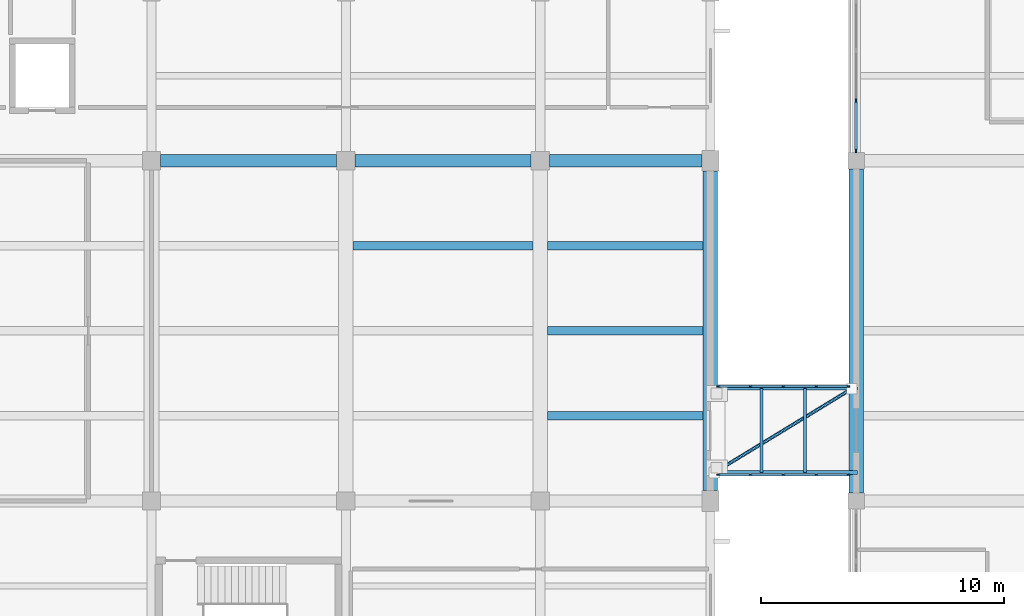
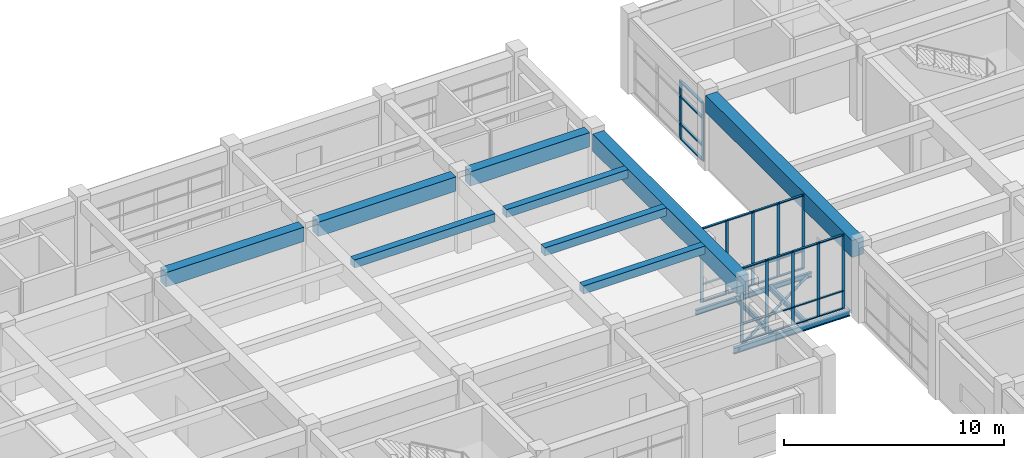
# One storey, part 28 of 72: 41 members, 13 beams, 3 elements without a shape of their own.
"""IFC4 building model written with IfcOpenShell, lengths in metres."""

from ifc_helpers import new_model, si_unit, direction, frame, origin, origin_2d, place, context, subcontext, project, spatial, rectangle, hollow_circle, i_section, extrude, material, layer, layer_set, material_profile, profile_set, type_object, element, aggregate, save


model = new_model("IFC4")

# Units and contexts
model_context = context("Model", 3, precision=1e-05, world=origin(), true_north=direction((0.0, 1.0)))
body_context = subcontext(model_context, "Body", "Model", "MODEL_VIEW")
ifc_project = project(units=[si_unit("LENGTHUNIT", "METRE"), si_unit("AREAUNIT", "SQUARE_METRE"), si_unit("VOLUMEUNIT", "CUBIC_METRE"), si_unit("PLANEANGLEUNIT", "RADIAN"), si_unit("MASSUNIT", "GRAM", prefix="KILO")], contexts=[model_context])

# Site, building, storey
site_placement = place(None, origin())
site = spatial("IfcSite", under=ifc_project, at=site_placement, CompositionType="ELEMENT")
building_placement = place(site_placement, origin())
building = spatial("IfcBuilding", under=site, at=building_placement, Name="Naurynzar Civic Courthouse", CompositionType="ELEMENT")
storey_placement = place(building_placement, frame((0.0, 0.0, 9.89990234375)))
storey = spatial("IfcBuildingStorey", under=building, at=storey_placement, Name="L03", CompositionType="ELEMENT", Elevation=9.89990234375)

# Beams
ifc_material_1 = material(Name="Concrete C40/50", Category="concrete")
ifc_material_profile_1 = material_profile(ifc_material_1, rectangle(XDim=0.60009765625, YDim=0.949951171875, at=origin_2d()), Name="PTB 600x950")
ifc_profile_set_1 = profile_set([ifc_material_profile_1], Name="Concrete C40/50")
beam_type_1 = type_object("IfcBeamType", Name="BM-PT-600x950", PredefinedType="T_BEAM", material=ifc_profile_set_1)
beam_1_placement = place(storey_placement, frame((124.0, 51.425048828125, 3.72509765625), z_axis=(0.0, 1.0, 0.0), x_axis=(-1.0, 0.0, 0.0)))
element("IfcBeam", 1, at=beam_1_placement, inside=storey, type_object=beam_type_1, Name="V2 girder Y-618 L03", PredefinedType="T_BEAM", context=body_context, shape_type="SweptSolid", body=[
    extrude(rectangle(XDim=0.60009765625, YDim=0.949951171875, at=origin_2d()), origin(), (0.0, 0.0, 1.0), 13.14990234375),
])
beam_2_placement = place(storey_placement, frame((130.0, 51.33740234375, 3.72509765625), z_axis=(0.0, 1.0, 0.0), x_axis=(-1.0, 0.0, 0.0)))
element("IfcBeam", 2, at=beam_2_placement, inside=storey, type_object=beam_type_1, Name="V5 girder Y-2430 L03", PredefinedType="T_BEAM", context=body_context, shape_type="SweptSolid", body=[
    extrude(rectangle(XDim=0.60009765625, YDim=0.949951171875, at=origin_2d()), origin(), (0.0, 0.0, 1.0), 13.3251953125),
])
ifc_material_2 = material(Name="Concrete C40/50", Category="concrete")
ifc_material_profile_2 = material_profile(ifc_material_2, rectangle(XDim=0.35009765625, YDim=0.449951171875, at=origin_2d()), Name="RCB 350x450")
ifc_profile_set_2 = profile_set([ifc_material_profile_2], Name="Concrete C40/50")
beam_type_2 = type_object("IfcBeamType", Name="BM-RC-350x450", PredefinedType="BEAM", material=ifc_profile_set_2)
beam_3_placement = place(storey_placement, frame((109.300048828125, 61.5, 3.97509765625), z_axis=(1.0, 0.0, 0.0), x_axis=(0.0, 1.0, 0.0)))
element("IfcBeam", 3, at=beam_3_placement, inside=storey, type_object=beam_type_2, Name="V2 secondary rib 644 L03", PredefinedType="BEAM", context=body_context, shape_type="SweptSolid", body=[
    extrude(rectangle(XDim=0.35009765625, YDim=0.449951171875, at=origin_2d()), origin(), (0.0, 0.0, 1.0), 7.39990234375),
])
for number, where, z_axis, x_axis, name in (
    (4, (117.300048828125, 54.5, 3.97509765625), (1.0, 0.0, 0.0), (0.0, 1.0, 0.0), "V2 secondary rib 645 L03"),
    (5, (117.300048828125, 58.0, 3.97509765625), (1.0, 0.0, 0.0), (0.0, 1.0, 0.0), "V2 secondary rib 646 L03"),
    (6, (117.300048828125, 61.5, 3.97509765625), (1.0, 0.0, 0.0), (0.0, 1.0, 0.0), "V2 secondary rib 647 L03"),
):
    element("IfcBeam", number, at=place(storey_placement, frame(where, z_axis=z_axis, x_axis=x_axis)), inside=storey, type_object=beam_type_2, Name=name, PredefinedType="BEAM", context=body_context, shape_type="SweptSolid", body=[
        extrude(rectangle(XDim=0.35009765625, YDim=0.449951171875, at=origin_2d()), origin(), (0.0, 0.0, 1.0), 6.39990234375),
    ])
ifc_material_3 = material(Name="Concrete C40/50", Category="concrete")
ifc_material_profile_3 = material_profile(ifc_material_3, rectangle(XDim=0.5, YDim=0.800048828125, at=origin_2d()), Name="RCB 500x800")
ifc_profile_set_3 = profile_set([ifc_material_profile_3], Name="Concrete C40/50")
beam_type_3 = type_object("IfcBeamType", Name="BM-RC-500x800", PredefinedType="BEAM", material=ifc_profile_set_3)
for number, where, z_axis, x_axis, name in (
    (7, (101.375, 65.0, 3.800048828125), (1.0, 0.0, 0.0), (0.0, 1.0, 0.0), "V2 beam X-582 L03"),
    (8, (109.375, 65.0, 3.800048828125), (1.0, 0.0, 0.0), (0.0, 1.0, 0.0), "V2 beam X-583 L03"),
):
    element("IfcBeam", number, at=place(storey_placement, frame(where, z_axis=z_axis, x_axis=x_axis)), inside=storey, type_object=beam_type_3, Name=name, PredefinedType="BEAM", context=body_context, shape_type="SweptSolid", body=[
        extrude(rectangle(XDim=0.5, YDim=0.800048828125, at=origin_2d()), origin(), (0.0, 0.0, 1.0), 7.25),
    ])
beam_4_placement = place(storey_placement, frame((117.375, 65.0, 3.800048828125), z_axis=(1.0, 0.0, 0.0), x_axis=(0.0, 1.0, 0.0)))
element("IfcBeam", 9, at=beam_4_placement, inside=storey, type_object=beam_type_3, Name="V2 beam X-584 L03", PredefinedType="BEAM", context=body_context, shape_type="SweptSolid", body=[
    extrude(rectangle(XDim=0.5, YDim=0.800048828125, at=origin_2d()), origin(), (0.0, 0.0, 1.0), 6.27490234375),
])
ifc_material_4 = material(Name="Steel S355", Category="steel")
ifc_material_profile_4 = material_profile(ifc_material_4, i_section(OverallWidth=0.135009765625, OverallDepth=0.27001953125, WebThickness=0.006591796875, FlangeThickness=0.01025390625, FilletRadius=0.014892578125, at=origin_2d()), Name="IPE 270")
ifc_profile_set_4 = profile_set([ifc_material_profile_4], Name="Steel S355")
beam_type_4 = type_object("IfcBeamType", Name="BM-STL-IPE270", PredefinedType="BEAM", material=ifc_profile_set_4)
beam_5_placement = place(storey_placement, frame((123.949951171875, 55.6298828125, -0.375), z_axis=(1.0, 0.0, 0.0), x_axis=(0.0, 1.0, 0.0)))
element("IfcBeam", 10, at=beam_5_placement, inside=storey, type_object=beam_type_4, Name="BR-E1 edge steel beam L03.2", PredefinedType="BEAM", context=body_context, shape_type="SweptSolid", body=[
    extrude(i_section(OverallWidth=0.135009765625, OverallDepth=0.27001953125, WebThickness=0.006591796875, FlangeThickness=0.01025390625, FilletRadius=0.014892578125, at=origin_2d()), origin(), (0.0, 0.0, 1.0), 6.10009765625),
])
for number, where, z_axis, x_axis, name in (
    (11, (126.10595703125, 52.169921875, -0.375), (0.0, 1.0, 0.0), (-1.0, 0.0, 0.0), "BR-E1 deck cross-beam L03.1"),
    (12, (127.89404296875, 52.169921875, -0.375), (0.0, 1.0, 0.0), (-1.0, 0.0, 0.0), "BR-E1 deck cross-beam L03.2"),
):
    element("IfcBeam", number, at=place(storey_placement, frame(where, z_axis=z_axis, x_axis=x_axis)), inside=storey, type_object=beam_type_4, Name=name, PredefinedType="BEAM", context=body_context, shape_type="SweptSolid", body=[
        extrude(i_section(OverallWidth=0.135009765625, OverallDepth=0.27001953125, WebThickness=0.006591796875, FlangeThickness=0.01025390625, FilletRadius=0.014892578125, at=origin_2d()), origin(), (0.0, 0.0, 1.0), 3.4599609375),
    ])
ifc_material_5 = material(Name="Steel S355", Category="steel")
ifc_material_profile_5 = material_profile(ifc_material_5, i_section(OverallWidth=0.159912109375, OverallDepth=0.330078125, WebThickness=0.007568359375, FlangeThickness=0.011474609375, FilletRadius=0.01806640625, at=origin_2d()), Name="IPE 330")
ifc_profile_set_5 = profile_set([ifc_material_profile_5], Name="Steel S355")
beam_type_5 = type_object("IfcBeamType", Name="BM-STL-IPE330", PredefinedType="BEAM", material=ifc_profile_set_5)
beam_6_placement = place(storey_placement, frame((123.949951171875, 52.169921875, -0.40478515625), z_axis=(1.0, 0.0, 0.0), x_axis=(0.0, 1.0, 0.0)))
element("IfcBeam", 13, at=beam_6_placement, inside=storey, type_object=beam_type_5, Name="BR-E1 edge steel beam L03.1", PredefinedType="BEAM", context=body_context, shape_type="SweptSolid", body=[
    extrude(i_section(OverallWidth=0.159912109375, OverallDepth=0.330078125, WebThickness=0.007568359375, FlangeThickness=0.011474609375, FilletRadius=0.01806640625, at=origin_2d()), origin(), (0.0, 0.0, 1.0), 6.10009765625),
])

# Curtain wall, members
ifc_material_6 = material(Name="Aluminium 6063-T6", Category="aluminium")
ifc_layer_1 = layer(ifc_material_6, 0.14990234375)
ifc_layer_set_1 = layer_set([ifc_layer_1], Name="CW-BRIDGE-1500")
curtain_wall_type_1 = type_object("IfcCurtainWallType", Name="CW-BRIDGE-1500", PredefinedType="USERDEFINED", material=ifc_layer_set_1)
curtain_wall_1_placement = place(storey_placement, origin())
curtain_wall_1 = element("IfcCurtainWall", 14, at=curtain_wall_1_placement, inside=storey, type_object=curtain_wall_type_1, Name="BR-E1 glazed bridge screen L03.1", ObjectType="GLAZED BRIDGE SCREEN", PredefinedType="USERDEFINED")
ifc_material_7 = material(Name="Aluminium 6063-T6", Category="aluminium")
ifc_material_profile_6 = material_profile(ifc_material_7, rectangle(XDim=0.06005859375, YDim=0.14990234375, at=origin_2d()), Name="ALU MULLION 60x150")
ifc_profile_set_6 = profile_set([ifc_material_profile_6], Name="Aluminium 6063-T6")
member_type_1 = type_object("IfcMemberType", Name="CWM-60x150", PredefinedType="MULLION", material=ifc_profile_set_6)
member_1_placement = place(storey_placement, frame((124.330078125, 52.080078125, 0.0), z_axis=(0.0, 0.0, 1.0), x_axis=(0.0, 1.0, 0.0)))
member_1 = element("IfcMember", 15, at=member_1_placement, type_object=member_type_1, Name="CW-03 mullion 1", PredefinedType="MULLION", context=body_context, shape_type="SweptSolid", body=[
    extrude(rectangle(XDim=0.06005859375, YDim=0.14990234375, at=origin_2d()), origin(), (0.0, 0.0, 1.0), 4.1201171875),
])
member_2_placement = place(storey_placement, frame((125.64990234375, 52.080078125, 0.0), z_axis=(0.0, 0.0, 1.0), x_axis=(0.0, 1.0, 0.0)))
member_2 = element("IfcMember", 16, at=member_2_placement, type_object=member_type_1, Name="CW-03 mullion 2", PredefinedType="MULLION", context=body_context, shape_type="SweptSolid", body=[
    extrude(rectangle(XDim=0.06005859375, YDim=0.14990234375, at=origin_2d()), origin(), (0.0, 0.0, 1.0), 4.1201171875),
])
member_3_placement = place(storey_placement, frame((127.0, 52.080078125, 0.0), z_axis=(0.0, 0.0, 1.0), x_axis=(0.0, 1.0, 0.0)))
member_3 = element("IfcMember", 17, at=member_3_placement, type_object=member_type_1, Name="CW-03 mullion 3", PredefinedType="MULLION", context=body_context, shape_type="SweptSolid", body=[
    extrude(rectangle(XDim=0.06005859375, YDim=0.14990234375, at=origin_2d()), origin(), (0.0, 0.0, 1.0), 4.1201171875),
])
member_4_placement = place(storey_placement, frame((128.35009765625, 52.080078125, 0.0), z_axis=(0.0, 0.0, 1.0), x_axis=(0.0, 1.0, 0.0)))
member_4 = element("IfcMember", 18, at=member_4_placement, type_object=member_type_1, Name="CW-03 mullion 4", PredefinedType="MULLION", context=body_context, shape_type="SweptSolid", body=[
    extrude(rectangle(XDim=0.06005859375, YDim=0.14990234375, at=origin_2d()), origin(), (0.0, 0.0, 1.0), 4.1201171875),
])
member_5_placement = place(storey_placement, frame((129.669921875, 52.080078125, 0.0), z_axis=(0.0, 0.0, 1.0), x_axis=(0.0, 1.0, 0.0)))
member_5 = element("IfcMember", 19, at=member_5_placement, type_object=member_type_1, Name="CW-03 mullion 5", PredefinedType="MULLION", context=body_context, shape_type="SweptSolid", body=[
    extrude(rectangle(XDim=0.06005859375, YDim=0.14990234375, at=origin_2d()), origin(), (0.0, 0.0, 1.0), 4.1201171875),
])

curtain_wall_2_placement = place(storey_placement, origin())
curtain_wall_2 = element("IfcCurtainWall", 20, at=curtain_wall_2_placement, inside=storey, type_object=curtain_wall_type_1, Name="BR-E1 glazed bridge screen L03.2", ObjectType="GLAZED BRIDGE SCREEN", PredefinedType="USERDEFINED")
member_6_placement = place(storey_placement, frame((129.669921875, 55.719970703125, 0.0), z_axis=(0.0, 0.0, 1.0), x_axis=(0.0, -1.0, 0.0)))
member_6 = element("IfcMember", 21, at=member_6_placement, type_object=member_type_1, Name="CW-03 mullion 1", PredefinedType="MULLION", context=body_context, shape_type="SweptSolid", body=[
    extrude(rectangle(XDim=0.06005859375, YDim=0.14990234375, at=origin_2d()), origin(), (0.0, 0.0, 1.0), 4.1201171875),
])
member_7_placement = place(storey_placement, frame((128.35009765625, 55.719970703125, 0.0), z_axis=(0.0, 0.0, 1.0), x_axis=(0.0, -1.0, 0.0)))
member_7 = element("IfcMember", 22, at=member_7_placement, type_object=member_type_1, Name="CW-03 mullion 2", PredefinedType="MULLION", context=body_context, shape_type="SweptSolid", body=[
    extrude(rectangle(XDim=0.06005859375, YDim=0.14990234375, at=origin_2d()), origin(), (0.0, 0.0, 1.0), 4.1201171875),
])
member_8_placement = place(storey_placement, frame((127.0, 55.719970703125, 0.0), z_axis=(0.0, 0.0, 1.0), x_axis=(0.0, -1.0, 0.0)))
member_8 = element("IfcMember", 23, at=member_8_placement, type_object=member_type_1, Name="CW-03 mullion 3", PredefinedType="MULLION", context=body_context, shape_type="SweptSolid", body=[
    extrude(rectangle(XDim=0.06005859375, YDim=0.14990234375, at=origin_2d()), origin(), (0.0, 0.0, 1.0), 4.1201171875),
])
member_9_placement = place(storey_placement, frame((125.64990234375, 55.719970703125, 0.0), z_axis=(0.0, 0.0, 1.0), x_axis=(0.0, -1.0, 0.0)))
member_9 = element("IfcMember", 24, at=member_9_placement, type_object=member_type_1, Name="CW-03 mullion 4", PredefinedType="MULLION", context=body_context, shape_type="SweptSolid", body=[
    extrude(rectangle(XDim=0.06005859375, YDim=0.14990234375, at=origin_2d()), origin(), (0.0, 0.0, 1.0), 4.1201171875),
])
member_10_placement = place(storey_placement, frame((124.330078125, 55.719970703125, 0.0), z_axis=(0.0, 0.0, 1.0), x_axis=(0.0, -1.0, 0.0)))
member_10 = element("IfcMember", 25, at=member_10_placement, type_object=member_type_1, Name="CW-03 mullion 5", PredefinedType="MULLION", context=body_context, shape_type="SweptSolid", body=[
    extrude(rectangle(XDim=0.06005859375, YDim=0.14990234375, at=origin_2d()), origin(), (0.0, 0.0, 1.0), 4.1201171875),
])

ifc_material_8 = material(Name="Aluminium 6063-T6", Category="aluminium")
ifc_layer_2 = layer(ifc_material_8, 0.159912109375)
ifc_layer_set_2 = layer_set([ifc_layer_2], Name="CW-UNIT-1800")
curtain_wall_type_2 = type_object("IfcCurtainWallType", Name="CW-UNIT-1800", PredefinedType="NOTDEFINED", material=ifc_layer_set_2)
curtain_wall_3_placement = place(storey_placement, origin())
curtain_wall_3 = element("IfcCurtainWall", 26, at=curtain_wall_3_placement, inside=storey, type_object=curtain_wall_type_2, Name="V5 unitised curtain wall 93 L03", PredefinedType="NOTDEFINED")
ifc_material_9 = material(Name="Aluminium 6063-T6", Category="aluminium")
ifc_material_profile_7 = material_profile(ifc_material_9, rectangle(XDim=0.070068359375, YDim=0.179931640625, at=origin_2d()), Name="ALU MULLION 70x180")
ifc_profile_set_7 = profile_set([ifc_material_profile_7], Name="Aluminium 6063-T6")
member_type_2 = type_object("IfcMemberType", Name="CWM-70x180", PredefinedType="MULLION", material=ifc_profile_set_7)
member_11_placement = place(storey_placement, frame((130.0, 65.422607421875, 0.0), z_axis=(0.0, 0.0, 1.0), x_axis=(-1.0, 0.0, 0.0)))
member_11 = element("IfcMember", 27, at=member_11_placement, type_object=member_type_2, Name="CW-02 mullion 1", PredefinedType="MULLION", context=body_context, shape_type="SweptSolid", body=[
    extrude(rectangle(XDim=0.070068359375, YDim=0.179931640625, at=origin_2d()), origin(), (0.0, 0.0, 1.0), 3.22998046875),
])
member_12_placement = place(storey_placement, frame((130.0, 67.46240234375, 0.0), z_axis=(0.0, 0.0, 1.0), x_axis=(-1.0, 0.0, 0.0)))
member_12 = element("IfcMember", 28, at=member_12_placement, type_object=member_type_2, Name="CW-02 mullion 2", PredefinedType="MULLION", context=body_context, shape_type="SweptSolid", body=[
    extrude(rectangle(XDim=0.070068359375, YDim=0.179931640625, at=origin_2d()), origin(), (0.0, 0.0, 1.0), 3.22998046875),
])

# Member
ifc_material_10 = material(Name="Aluminium 6063-T6", Category="aluminium")
ifc_material_profile_8 = material_profile(ifc_material_10, rectangle(XDim=0.110107421875, YDim=0.06005859375, at=origin_2d()), Name="ALU TRANSOM 60x110")
ifc_profile_set_8 = profile_set([ifc_material_profile_8], Name="Aluminium 6063-T6")
member_type_3 = type_object("IfcMemberType", Name="CWT-60x110", PredefinedType="USERDEFINED", material=ifc_profile_set_8)
member_13_placement = place(storey_placement, frame((124.360107421875, 52.080078125, 0.030029296875), z_axis=(1.0, 0.0, 0.0), x_axis=(0.0, 1.0, 0.0)))
member_13 = element("IfcMember", 29, at=member_13_placement, type_object=member_type_3, Name="CW-03 transom 1.1", ObjectType="TRANSOM", PredefinedType="USERDEFINED", context=body_context, shape_type="SweptSolid", body=[
    extrude(rectangle(XDim=0.110107421875, YDim=0.06005859375, at=origin_2d()), origin(), (0.0, 0.0, 1.0), 1.260009765625),
])

member_14_placement = place(storey_placement, frame((124.360107421875, 52.080078125, 1.0), z_axis=(1.0, 0.0, 0.0), x_axis=(0.0, 1.0, 0.0)))
member_14 = element("IfcMember", 30, at=member_14_placement, type_object=member_type_3, Name="CW-03 transom 1.2", ObjectType="TRANSOM", PredefinedType="USERDEFINED", context=body_context, shape_type="SweptSolid", body=[
    extrude(rectangle(XDim=0.110107421875, YDim=0.06005859375, at=origin_2d()), origin(), (0.0, 0.0, 1.0), 1.260009765625),
])

member_15_placement = place(storey_placement, frame((124.360107421875, 52.080078125, 4.090087890625), z_axis=(1.0, 0.0, 0.0), x_axis=(0.0, 1.0, 0.0)))
member_15 = element("IfcMember", 31, at=member_15_placement, type_object=member_type_3, Name="CW-03 transom 1.3", ObjectType="TRANSOM", PredefinedType="USERDEFINED", context=body_context, shape_type="SweptSolid", body=[
    extrude(rectangle(XDim=0.110107421875, YDim=0.06005859375, at=origin_2d()), origin(), (0.0, 0.0, 1.0), 1.260009765625),
])

member_16_placement = place(storey_placement, frame((125.679931640625, 52.080078125, 0.030029296875), z_axis=(1.0, 0.0, 0.0), x_axis=(0.0, 1.0, 0.0)))
member_16 = element("IfcMember", 32, at=member_16_placement, type_object=member_type_3, Name="CW-03 transom 2.1", ObjectType="TRANSOM", PredefinedType="USERDEFINED", context=body_context, shape_type="SweptSolid", body=[
    extrude(rectangle(XDim=0.110107421875, YDim=0.06005859375, at=origin_2d()), origin(), (0.0, 0.0, 1.0), 1.2900390625),
])

member_17_placement = place(storey_placement, frame((125.679931640625, 52.080078125, 1.0), z_axis=(1.0, 0.0, 0.0), x_axis=(0.0, 1.0, 0.0)))
member_17 = element("IfcMember", 33, at=member_17_placement, type_object=member_type_3, Name="CW-03 transom 2.2", ObjectType="TRANSOM", PredefinedType="USERDEFINED", context=body_context, shape_type="SweptSolid", body=[
    extrude(rectangle(XDim=0.110107421875, YDim=0.06005859375, at=origin_2d()), origin(), (0.0, 0.0, 1.0), 1.2900390625),
])

member_18_placement = place(storey_placement, frame((125.679931640625, 52.080078125, 4.090087890625), z_axis=(1.0, 0.0, 0.0), x_axis=(0.0, 1.0, 0.0)))
member_18 = element("IfcMember", 34, at=member_18_placement, type_object=member_type_3, Name="CW-03 transom 2.3", ObjectType="TRANSOM", PredefinedType="USERDEFINED", context=body_context, shape_type="SweptSolid", body=[
    extrude(rectangle(XDim=0.110107421875, YDim=0.06005859375, at=origin_2d()), origin(), (0.0, 0.0, 1.0), 1.2900390625),
])

member_19_placement = place(storey_placement, frame((127.030029296875, 52.080078125, 0.030029296875), z_axis=(1.0, 0.0, 0.0), x_axis=(0.0, 1.0, 0.0)))
member_19 = element("IfcMember", 35, at=member_19_placement, type_object=member_type_3, Name="CW-03 transom 3.1", ObjectType="TRANSOM", PredefinedType="USERDEFINED", context=body_context, shape_type="SweptSolid", body=[
    extrude(rectangle(XDim=0.110107421875, YDim=0.06005859375, at=origin_2d()), origin(), (0.0, 0.0, 1.0), 1.2900390625),
])

member_20_placement = place(storey_placement, frame((127.030029296875, 52.080078125, 1.0), z_axis=(1.0, 0.0, 0.0), x_axis=(0.0, 1.0, 0.0)))
member_20 = element("IfcMember", 36, at=member_20_placement, type_object=member_type_3, Name="CW-03 transom 3.2", ObjectType="TRANSOM", PredefinedType="USERDEFINED", context=body_context, shape_type="SweptSolid", body=[
    extrude(rectangle(XDim=0.110107421875, YDim=0.06005859375, at=origin_2d()), origin(), (0.0, 0.0, 1.0), 1.2900390625),
])

member_21_placement = place(storey_placement, frame((127.030029296875, 52.080078125, 4.090087890625), z_axis=(1.0, 0.0, 0.0), x_axis=(0.0, 1.0, 0.0)))
member_21 = element("IfcMember", 37, at=member_21_placement, type_object=member_type_3, Name="CW-03 transom 3.3", ObjectType="TRANSOM", PredefinedType="USERDEFINED", context=body_context, shape_type="SweptSolid", body=[
    extrude(rectangle(XDim=0.110107421875, YDim=0.06005859375, at=origin_2d()), origin(), (0.0, 0.0, 1.0), 1.2900390625),
])

member_22_placement = place(storey_placement, frame((128.3798828125, 52.080078125, 0.030029296875), z_axis=(1.0, 0.0, 0.0), x_axis=(0.0, 1.0, 0.0)))
member_22 = element("IfcMember", 38, at=member_22_placement, type_object=member_type_3, Name="CW-03 transom 4.1", ObjectType="TRANSOM", PredefinedType="USERDEFINED", context=body_context, shape_type="SweptSolid", body=[
    extrude(rectangle(XDim=0.110107421875, YDim=0.06005859375, at=origin_2d()), origin(), (0.0, 0.0, 1.0), 1.260009765625),
])

member_23_placement = place(storey_placement, frame((128.3798828125, 52.080078125, 1.0), z_axis=(1.0, 0.0, 0.0), x_axis=(0.0, 1.0, 0.0)))
member_23 = element("IfcMember", 39, at=member_23_placement, type_object=member_type_3, Name="CW-03 transom 4.2", ObjectType="TRANSOM", PredefinedType="USERDEFINED", context=body_context, shape_type="SweptSolid", body=[
    extrude(rectangle(XDim=0.110107421875, YDim=0.06005859375, at=origin_2d()), origin(), (0.0, 0.0, 1.0), 1.260009765625),
])

member_24_placement = place(storey_placement, frame((128.3798828125, 52.080078125, 4.090087890625), z_axis=(1.0, 0.0, 0.0), x_axis=(0.0, 1.0, 0.0)))
member_24 = element("IfcMember", 40, at=member_24_placement, type_object=member_type_3, Name="CW-03 transom 4.3", ObjectType="TRANSOM", PredefinedType="USERDEFINED", context=body_context, shape_type="SweptSolid", body=[
    extrude(rectangle(XDim=0.110107421875, YDim=0.06005859375, at=origin_2d()), origin(), (0.0, 0.0, 1.0), 1.260009765625),
])

aggregate(curtain_wall_1, [member_1, member_2, member_3, member_4, member_5, member_13, member_14, member_15, member_16, member_17, member_18, member_19, member_20, member_21, member_22, member_23, member_24])

member_25_placement = place(storey_placement, frame((129.639892578125, 55.719970703125, 0.030029296875), z_axis=(-1.0, 0.0, 0.0), x_axis=(0.0, -1.0, 0.0)))
member_25 = element("IfcMember", 41, at=member_25_placement, type_object=member_type_3, Name="CW-03 transom 1.1", ObjectType="TRANSOM", PredefinedType="USERDEFINED", context=body_context, shape_type="SweptSolid", body=[
    extrude(rectangle(XDim=0.110107421875, YDim=0.06005859375, at=origin_2d()), origin(), (0.0, 0.0, 1.0), 1.260009765625),
])

member_26_placement = place(storey_placement, frame((129.639892578125, 55.719970703125, 1.0), z_axis=(-1.0, 0.0, 0.0), x_axis=(0.0, -1.0, 0.0)))
member_26 = element("IfcMember", 42, at=member_26_placement, type_object=member_type_3, Name="CW-03 transom 1.2", ObjectType="TRANSOM", PredefinedType="USERDEFINED", context=body_context, shape_type="SweptSolid", body=[
    extrude(rectangle(XDim=0.110107421875, YDim=0.06005859375, at=origin_2d()), origin(), (0.0, 0.0, 1.0), 1.260009765625),
])

member_27_placement = place(storey_placement, frame((129.639892578125, 55.719970703125, 4.090087890625), z_axis=(-1.0, 0.0, 0.0), x_axis=(0.0, -1.0, 0.0)))
member_27 = element("IfcMember", 43, at=member_27_placement, type_object=member_type_3, Name="CW-03 transom 1.3", ObjectType="TRANSOM", PredefinedType="USERDEFINED", context=body_context, shape_type="SweptSolid", body=[
    extrude(rectangle(XDim=0.110107421875, YDim=0.06005859375, at=origin_2d()), origin(), (0.0, 0.0, 1.0), 1.260009765625),
])

member_28_placement = place(storey_placement, frame((128.320068359375, 55.719970703125, 0.030029296875), z_axis=(-1.0, 0.0, 0.0), x_axis=(0.0, -1.0, 0.0)))
member_28 = element("IfcMember", 44, at=member_28_placement, type_object=member_type_3, Name="CW-03 transom 2.1", ObjectType="TRANSOM", PredefinedType="USERDEFINED", context=body_context, shape_type="SweptSolid", body=[
    extrude(rectangle(XDim=0.110107421875, YDim=0.06005859375, at=origin_2d()), origin(), (0.0, 0.0, 1.0), 1.2900390625),
])

member_29_placement = place(storey_placement, frame((128.320068359375, 55.719970703125, 1.0), z_axis=(-1.0, 0.0, 0.0), x_axis=(0.0, -1.0, 0.0)))
member_29 = element("IfcMember", 45, at=member_29_placement, type_object=member_type_3, Name="CW-03 transom 2.2", ObjectType="TRANSOM", PredefinedType="USERDEFINED", context=body_context, shape_type="SweptSolid", body=[
    extrude(rectangle(XDim=0.110107421875, YDim=0.06005859375, at=origin_2d()), origin(), (0.0, 0.0, 1.0), 1.2900390625),
])

member_30_placement = place(storey_placement, frame((128.320068359375, 55.719970703125, 4.090087890625), z_axis=(-1.0, 0.0, 0.0), x_axis=(0.0, -1.0, 0.0)))
member_30 = element("IfcMember", 46, at=member_30_placement, type_object=member_type_3, Name="CW-03 transom 2.3", ObjectType="TRANSOM", PredefinedType="USERDEFINED", context=body_context, shape_type="SweptSolid", body=[
    extrude(rectangle(XDim=0.110107421875, YDim=0.06005859375, at=origin_2d()), origin(), (0.0, 0.0, 1.0), 1.2900390625),
])

member_31_placement = place(storey_placement, frame((126.969970703125, 55.719970703125, 0.030029296875), z_axis=(-1.0, 0.0, 0.0), x_axis=(0.0, -1.0, 0.0)))
member_31 = element("IfcMember", 47, at=member_31_placement, type_object=member_type_3, Name="CW-03 transom 3.1", ObjectType="TRANSOM", PredefinedType="USERDEFINED", context=body_context, shape_type="SweptSolid", body=[
    extrude(rectangle(XDim=0.110107421875, YDim=0.06005859375, at=origin_2d()), origin(), (0.0, 0.0, 1.0), 1.2900390625),
])

member_32_placement = place(storey_placement, frame((126.969970703125, 55.719970703125, 1.0), z_axis=(-1.0, 0.0, 0.0), x_axis=(0.0, -1.0, 0.0)))
member_32 = element("IfcMember", 48, at=member_32_placement, type_object=member_type_3, Name="CW-03 transom 3.2", ObjectType="TRANSOM", PredefinedType="USERDEFINED", context=body_context, shape_type="SweptSolid", body=[
    extrude(rectangle(XDim=0.110107421875, YDim=0.06005859375, at=origin_2d()), origin(), (0.0, 0.0, 1.0), 1.2900390625),
])

member_33_placement = place(storey_placement, frame((126.969970703125, 55.719970703125, 4.090087890625), z_axis=(-1.0, 0.0, 0.0), x_axis=(0.0, -1.0, 0.0)))
member_33 = element("IfcMember", 49, at=member_33_placement, type_object=member_type_3, Name="CW-03 transom 3.3", ObjectType="TRANSOM", PredefinedType="USERDEFINED", context=body_context, shape_type="SweptSolid", body=[
    extrude(rectangle(XDim=0.110107421875, YDim=0.06005859375, at=origin_2d()), origin(), (0.0, 0.0, 1.0), 1.2900390625),
])

member_34_placement = place(storey_placement, frame((125.6201171875, 55.719970703125, 0.030029296875), z_axis=(-1.0, 0.0, 0.0), x_axis=(0.0, -1.0, 0.0)))
member_34 = element("IfcMember", 50, at=member_34_placement, type_object=member_type_3, Name="CW-03 transom 4.1", ObjectType="TRANSOM", PredefinedType="USERDEFINED", context=body_context, shape_type="SweptSolid", body=[
    extrude(rectangle(XDim=0.110107421875, YDim=0.06005859375, at=origin_2d()), origin(), (0.0, 0.0, 1.0), 1.260009765625),
])

member_35_placement = place(storey_placement, frame((125.6201171875, 55.719970703125, 1.0), z_axis=(-1.0, 0.0, 0.0), x_axis=(0.0, -1.0, 0.0)))
member_35 = element("IfcMember", 51, at=member_35_placement, type_object=member_type_3, Name="CW-03 transom 4.2", ObjectType="TRANSOM", PredefinedType="USERDEFINED", context=body_context, shape_type="SweptSolid", body=[
    extrude(rectangle(XDim=0.110107421875, YDim=0.06005859375, at=origin_2d()), origin(), (0.0, 0.0, 1.0), 1.260009765625),
])

member_36_placement = place(storey_placement, frame((125.6201171875, 55.719970703125, 4.090087890625), z_axis=(-1.0, 0.0, 0.0), x_axis=(0.0, -1.0, 0.0)))
member_36 = element("IfcMember", 52, at=member_36_placement, type_object=member_type_3, Name="CW-03 transom 4.3", ObjectType="TRANSOM", PredefinedType="USERDEFINED", context=body_context, shape_type="SweptSolid", body=[
    extrude(rectangle(XDim=0.110107421875, YDim=0.06005859375, at=origin_2d()), origin(), (0.0, 0.0, 1.0), 1.260009765625),
])

aggregate(curtain_wall_2, [member_6, member_7, member_8, member_9, member_10, member_25, member_26, member_27, member_28, member_29, member_30, member_31, member_32, member_33, member_34, member_35, member_36])

ifc_material_11 = material(Name="Aluminium 6063-T6", Category="aluminium")
ifc_material_profile_9 = material_profile(ifc_material_11, rectangle(XDim=0.1298828125, YDim=0.070068359375, at=origin_2d()), Name="ALU TRANSOM 70x130")
ifc_profile_set_9 = profile_set([ifc_material_profile_9], Name="Aluminium 6063-T6")
member_type_4 = type_object("IfcMemberType", Name="CWT-70x130", PredefinedType="USERDEFINED", material=ifc_profile_set_9)
member_37_placement = place(storey_placement, frame((130.0, 65.45751953125, 0.03515625), z_axis=(0.0, 1.0, 0.0), x_axis=(-1.0, 0.0, 0.0)))
member_37 = element("IfcMember", 53, at=member_37_placement, type_object=member_type_4, Name="CW-02 transom 1.1", ObjectType="TRANSOM", PredefinedType="USERDEFINED", context=body_context, shape_type="SweptSolid", body=[
    extrude(rectangle(XDim=0.1298828125, YDim=0.070068359375, at=origin_2d()), origin(), (0.0, 0.0, 1.0), 1.969970703125),
])

member_38_placement = place(storey_placement, frame((130.0, 65.45751953125, 0.85009765625), z_axis=(0.0, 1.0, 0.0), x_axis=(-1.0, 0.0, 0.0)))
member_38 = element("IfcMember", 54, at=member_38_placement, type_object=member_type_4, Name="CW-02 transom 1.2", ObjectType="TRANSOM", PredefinedType="USERDEFINED", context=body_context, shape_type="SweptSolid", body=[
    extrude(rectangle(XDim=0.1298828125, YDim=0.070068359375, at=origin_2d()), origin(), (0.0, 0.0, 1.0), 1.969970703125),
])

member_39_placement = place(storey_placement, frame((130.0, 65.45751953125, 2.380126953125), z_axis=(0.0, 1.0, 0.0), x_axis=(-1.0, 0.0, 0.0)))
member_39 = element("IfcMember", 55, at=member_39_placement, type_object=member_type_4, Name="CW-02 transom 1.3", ObjectType="TRANSOM", PredefinedType="USERDEFINED", context=body_context, shape_type="SweptSolid", body=[
    extrude(rectangle(XDim=0.1298828125, YDim=0.070068359375, at=origin_2d()), origin(), (0.0, 0.0, 1.0), 1.969970703125),
])

member_40_placement = place(storey_placement, frame((130.0, 65.45751953125, 3.195068359375), z_axis=(0.0, 1.0, 0.0), x_axis=(-1.0, 0.0, 0.0)))
member_40 = element("IfcMember", 56, at=member_40_placement, type_object=member_type_4, Name="CW-02 transom 1.4", ObjectType="TRANSOM", PredefinedType="USERDEFINED", context=body_context, shape_type="SweptSolid", body=[
    extrude(rectangle(XDim=0.1298828125, YDim=0.070068359375, at=origin_2d()), origin(), (0.0, 0.0, 1.0), 1.969970703125),
])

aggregate(curtain_wall_3, [member_11, member_12, member_37, member_38, member_39, member_40])

ifc_material_12 = material(Name="Steel S355", Category="steel")
ifc_material_profile_10 = material_profile(ifc_material_12, hollow_circle(Radius=0.06982421875, WallThickness=0.008056640625, at=origin_2d()), Name="CHS 139.7x8")
ifc_profile_set_10 = profile_set([ifc_material_profile_10], Name="Steel S355")
member_type_5 = type_object("IfcMemberType", Name="MEM-BRACE-CHS139", PredefinedType="BRACE", material=ifc_profile_set_10)
member_41_placement = place(storey_placement, frame((124.179931640625, 52.179931640625, -0.40478515625), z_axis=(0.853723652651, 0.520726343585, 0.0), x_axis=(-0.520726343585, 0.853723652651, 0.0)))
element("IfcMember", 57, at=member_41_placement, inside=storey, type_object=member_type_5, Name="BR-E1 wind brace L03.1", PredefinedType="BRACE", context=body_context, shape_type="SweptSolid", body=[
    extrude(hollow_circle(Radius=0.06982421875, WallThickness=0.008056640625, at=origin_2d()), origin(), (0.0, 0.0, 1.0), 6.6064453125),
])

save(model, "model.ifc")
